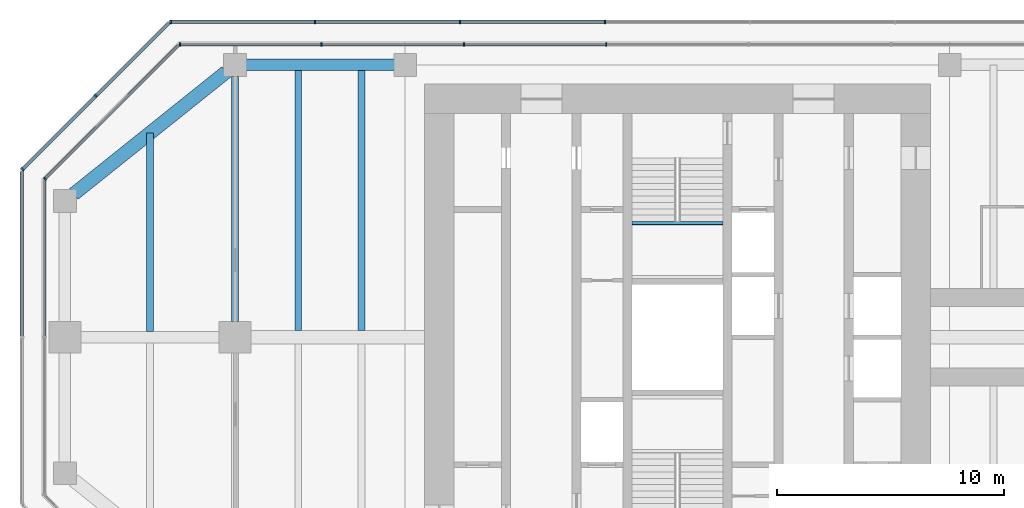
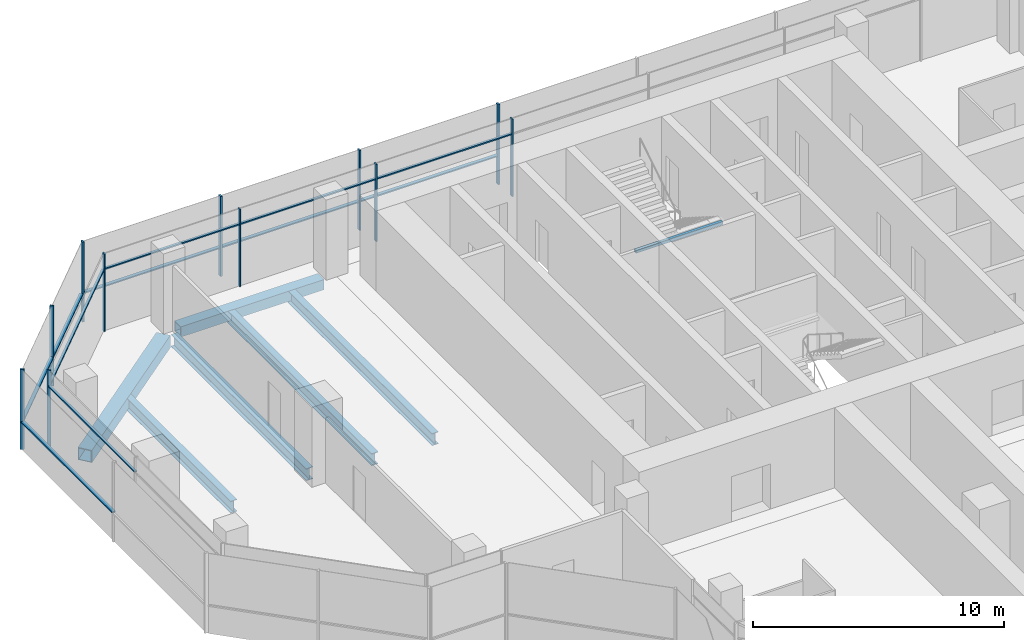
# One storey, part 6 of 15: 22 members, 7 beams, 6 elements without a shape of their own.
"""IFC4 building model written with IfcOpenShell, lengths in metres."""

from ifc_helpers import new_model, si_unit, direction, frame, origin, origin_2d, place, context, subcontext, project, spatial, rectangle, hollow_rectangle, i_section, extrude, material, material_profile, profile_set, type_object, element, aggregate, save


model = new_model("IFC4")

# Units and contexts
model_context = context("Model", 3, precision=1e-05, world=origin(), true_north=direction((0.0, 1.0)))
body_context = subcontext(model_context, "Body", "Model", "MODEL_VIEW")
ifc_project = project(units=[si_unit("LENGTHUNIT", "METRE"), si_unit("AREAUNIT", "SQUARE_METRE"), si_unit("VOLUMEUNIT", "CUBIC_METRE"), si_unit("PLANEANGLEUNIT", "RADIAN"), si_unit("MASSUNIT", "GRAM", prefix="KILO")], contexts=[model_context])

# Site, building, storey
site_placement = place(None, origin())
site = spatial("IfcSite", under=ifc_project, at=site_placement, CompositionType="ELEMENT")
building_placement = place(site_placement, origin())
building = spatial("IfcBuilding", under=site, at=building_placement, Name="Mizan Broadcast Tower", CompositionType="ELEMENT")
storey_placement = place(building_placement, frame((0.0, 0.0, 298.5)))
storey = spatial("IfcBuildingStorey", under=building, at=storey_placement, Name="L71", CompositionType="ELEMENT", Elevation=298.5)

# Beams
ifc_material_1 = material(Name="Steel S355", Category="steel")
ifc_material_profile_1 = material_profile(ifc_material_1, hollow_rectangle(XDim=0.5, YDim=0.5, WallThickness=0.030029296875, at=origin_2d()), Name="BOX 500x500x30")
ifc_profile_set_1 = profile_set([ifc_material_profile_1], Name="Steel S355")
beam_type_1 = type_object("IfcBeamType", Name="EDGE BEAM BOX 500x500x30", PredefinedType="SPANDREL", material=ifc_profile_set_1)
beam_1_placement = place(storey_placement, frame((-12.449951171875, 12.0, -0.3798828125), z_axis=(-1.0, 0.0, 0.0), x_axis=(0.0, -1.0, 0.0)))
element("IfcBeam", 1, at=beam_1_placement, inside=storey, type_object=beam_type_1, Name="Edge beam BOX 500x500x30 L71 west arm", PredefinedType="SPANDREL", context=body_context, shape_type="SweptSolid", body=[
    extrude(hollow_rectangle(XDim=0.5, YDim=0.5, WallThickness=0.030029296875, at=origin_2d()), origin(), (0.0, 0.0, 1.0), 6.60009765625),
])
ifc_material_2 = material(Name="Steel S355", Category="steel")
ifc_material_profile_2 = material_profile(ifc_material_2, hollow_rectangle(XDim=0.60009765625, YDim=0.60009765625, WallThickness=0.030029296875, at=origin_2d()), Name="BOX 600x600x30")
ifc_profile_set_2 = profile_set([ifc_material_profile_2], Name="Steel S355")
beam_type_2 = type_object("IfcBeamType", Name="EDGE BEAM BOX 600x600x30", PredefinedType="SPANDREL", material=ifc_profile_set_2)
beam_2_placement = place(storey_placement, frame((-19.890380859375, 11.687744140625, -0.429931640625), z_axis=(-0.780863273348, -0.62470196761, 0.0), x_axis=(0.62470196761, -0.780863273348, 0.0)))
element("IfcBeam", 2, at=beam_2_placement, inside=storey, type_object=beam_type_2, Name="Edge beam BOX 600x600x30 L71 west arm", PredefinedType="SPANDREL", context=body_context, shape_type="SweptSolid", body=[
    extrude(hollow_rectangle(XDim=0.60009765625, YDim=0.60009765625, WallThickness=0.030029296875, at=origin_2d()), origin(), (0.0, 0.0, 1.0), 8.60498046875),
])
ifc_material_3 = material(Name="Steel S355", Category="steel")
ifc_material_profile_3 = material_profile(ifc_material_3, i_section(OverallWidth=0.300048828125, OverallDepth=0.590087890625, WebThickness=0.012939453125, FlangeThickness=0.02490234375, FilletRadius=0.027099609375, at=origin_2d()), Name="HEA 600")
ifc_profile_set_3 = profile_set([ifc_material_profile_3], Name="Steel S355")
beam_type_3 = type_object("IfcBeamType", Name="GIRDER HEA 600", PredefinedType="BEAM", material=ifc_profile_set_3)
beam_3_placement = place(storey_placement, frame((-19.5, 11.5, -0.425048828125), z_axis=(0.0, -1.0, 0.0), x_axis=(1.0, 0.0, 0.0)))
element("IfcBeam", 3, at=beam_3_placement, inside=storey, type_object=beam_type_3, Name="Girder HEA 600 L71 west arm", PredefinedType="BEAM", context=body_context, shape_type="SweptSolid", body=[
    extrude(i_section(OverallWidth=0.300048828125, OverallDepth=0.590087890625, WebThickness=0.012939453125, FlangeThickness=0.02490234375, FilletRadius=0.027099609375, at=origin_2d()), origin(), (0.0, 0.0, 1.0), 10.800048828125),
])

# Curtain wall, members
ifc_material_4 = material(Name="Aluminium framed glazing", Category="aluminium")
curtain_wall_type_1 = type_object("IfcCurtainWallType", Name="INNER SKIN TOP ZONE", PredefinedType="USERDEFINED", material=ifc_material_4)
curtain_wall_1_placement = place(storey_placement, origin())
curtain_wall_1 = element("IfcCurtainWall", 4, at=curtain_wall_1_placement, inside=storey, type_object=curtain_wall_type_1, Name="Inner skin top zone L71 N end", ObjectType="INNER SKIN TOP ZONE", PredefinedType="USERDEFINED")
ifc_material_5 = material(Name="Aluminium, pale anodised", Category="aluminium")
ifc_material_profile_4 = material_profile(ifc_material_5, rectangle(XDim=0.159912109375, YDim=0.06005859375, at=origin_2d()), Name="MULLION 160x60")
ifc_profile_set_4 = profile_set([ifc_material_profile_4], Name="Aluminium, pale anodised")
member_type_1 = type_object("IfcMemberType", Name="INNER SKIN MULLION 60x160", PredefinedType="MULLION", material=ifc_profile_set_4)
member_1_placement = place(storey_placement, frame((-3.136962890625, 12.89990234375, 0.0), z_axis=(0.0, 0.0, 1.0), x_axis=(0.0, -1.0, 0.0)))
member_1 = element("IfcMember", 5, at=member_1_placement, type_object=member_type_1, Name="Inner skin top zone L71 N end mullion 5", PredefinedType="MULLION", context=body_context, shape_type="SweptSolid", body=[
    extrude(rectangle(XDim=0.159912109375, YDim=0.06005859375, at=origin_2d()), origin(), (0.0, 0.0, 1.0), 3.77001953125),
])
member_2_placement = place(storey_placement, frame((-9.410888671875, 12.89990234375, 0.0), z_axis=(0.0, 0.0, 1.0), x_axis=(0.0, -1.0, 0.0)))
member_2 = element("IfcMember", 6, at=member_2_placement, type_object=member_type_1, Name="Inner skin top zone L71 N end mullion 6", PredefinedType="MULLION", context=body_context, shape_type="SweptSolid", body=[
    extrude(rectangle(XDim=0.159912109375, YDim=0.06005859375, at=origin_2d()), origin(), (0.0, 0.0, 1.0), 3.77001953125),
])
member_3_placement = place(storey_placement, frame((-15.684814453125, 12.89990234375, 0.0), z_axis=(0.0, 0.0, 1.0), x_axis=(0.0, -1.0, 0.0)))
member_3 = element("IfcMember", 7, at=member_3_placement, type_object=member_type_1, Name="Inner skin top zone L71 N end mullion 7", PredefinedType="MULLION", context=body_context, shape_type="SweptSolid", body=[
    extrude(rectangle(XDim=0.159912109375, YDim=0.06005859375, at=origin_2d()), origin(), (0.0, 0.0, 1.0), 3.77001953125),
])
member_4_placement = place(storey_placement, frame((-21.928466796875, 12.89990234375, 0.0), z_axis=(0.0, 0.0, 1.0), x_axis=(0.0, -1.0, 0.0)))
member_4 = element("IfcMember", 8, at=member_4_placement, type_object=member_type_1, Name="Inner skin top zone L71 N end mullion 8", PredefinedType="MULLION", context=body_context, shape_type="SweptSolid", body=[
    extrude(rectangle(XDim=0.159912109375, YDim=0.06005859375, at=origin_2d()), origin(), (0.0, 0.0, 1.0), 3.77001953125),
])

# Curtain wall, member
curtain_wall_2_placement = place(storey_placement, origin())
curtain_wall_2 = element("IfcCurtainWall", 9, at=curtain_wall_2_placement, inside=storey, type_object=curtain_wall_type_1, Name="Inner skin top zone L71 W chamfer", ObjectType="INNER SKIN TOP ZONE", PredefinedType="USERDEFINED")
member_5_placement = place(storey_placement, frame((-27.87890625, 6.979736328125, 0.0), z_axis=(0.0, 0.0, 1.0), x_axis=(0.707106781187, -0.707106781187, 0.0)))
member_5 = element("IfcMember", 10, at=member_5_placement, type_object=member_type_1, Name="Inner skin top zone L71 W chamfer mullion 2", PredefinedType="MULLION", context=body_context, shape_type="SweptSolid", body=[
    extrude(rectangle(XDim=0.159912109375, YDim=0.06005859375, at=origin_2d()), origin(), (0.0, 0.0, 1.0), 3.77001953125),
])

# Member
ifc_material_6 = material(Name="Aluminium, pale anodised", Category="aluminium")
ifc_material_profile_5 = material_profile(ifc_material_6, rectangle(XDim=0.1201171875, YDim=0.06005859375, at=origin_2d()), Name="TRANSOM 120x60")
ifc_profile_set_5 = profile_set([ifc_material_profile_5], Name="Aluminium, pale anodised")
member_type_2 = type_object("IfcMemberType", Name="INNER SKIN TRANSOM 60x120", PredefinedType="USERDEFINED", material=ifc_profile_set_5)
member_6_placement = place(storey_placement, frame((-3.1669921875, 12.89990234375, 3.030029296875), z_axis=(-1.0, 0.0, 0.0), x_axis=(0.0, -1.0, 0.0)))
member_6 = element("IfcMember", 11, at=member_6_placement, type_object=member_type_2, Name="Inner skin top zone L71 N end transom 5.1", ObjectType="TRANSOM", PredefinedType="USERDEFINED", context=body_context, shape_type="SweptSolid", body=[
    extrude(rectangle(XDim=0.1201171875, YDim=0.06005859375, at=origin_2d()), origin(), (0.0, 0.0, 1.0), 6.2138671875),
])

member_7_placement = place(storey_placement, frame((-9.44091796875, 12.89990234375, 3.030029296875), z_axis=(-1.0, 0.0, 0.0), x_axis=(0.0, -1.0, 0.0)))
member_7 = element("IfcMember", 12, at=member_7_placement, type_object=member_type_2, Name="Inner skin top zone L71 N end transom 6.1", ObjectType="TRANSOM", PredefinedType="USERDEFINED", context=body_context, shape_type="SweptSolid", body=[
    extrude(rectangle(XDim=0.1201171875, YDim=0.06005859375, at=origin_2d()), origin(), (0.0, 0.0, 1.0), 6.2138671875),
])

member_8_placement = place(storey_placement, frame((-15.714599609375, 12.89990234375, 3.030029296875), z_axis=(-1.0, 0.0, 0.0), x_axis=(0.0, -1.0, 0.0)))
member_8 = element("IfcMember", 13, at=member_8_placement, type_object=member_type_2, Name="Inner skin top zone L71 N end transom 7.1", ObjectType="TRANSOM", PredefinedType="USERDEFINED", context=body_context, shape_type="SweptSolid", body=[
    extrude(rectangle(XDim=0.1201171875, YDim=0.06005859375, at=origin_2d()), origin(), (0.0, 0.0, 1.0), 6.18408203125),
])

aggregate(curtain_wall_1, [member_1, member_2, member_3, member_4, member_6, member_7, member_8])

member_9_placement = place(storey_placement, frame((-22.0009765625, 12.857666015625, 3.030029296875), z_axis=(-0.707106781187, -0.707106781187, 0.0), x_axis=(0.707106781187, -0.707106781187, 0.0)))
member_9 = element("IfcMember", 14, at=member_9_placement, type_object=member_type_2, Name="Inner skin top zone L71 W chamfer transom 1.1", ObjectType="TRANSOM", PredefinedType="USERDEFINED", context=body_context, shape_type="SweptSolid", body=[
    extrude(rectangle(XDim=0.1201171875, YDim=0.06005859375, at=origin_2d()), origin(), (0.0, 0.0, 1.0), 8.28271484375),
])

aggregate(curtain_wall_2, [member_5, member_9])

# Curtain wall, member
curtain_wall_3_placement = place(storey_placement, origin())
curtain_wall_3 = element("IfcCurtainWall", 15, at=curtain_wall_3_placement, inside=storey, type_object=curtain_wall_type_1, Name="Inner skin top zone L71 W end", ObjectType="INNER SKIN TOP ZONE", PredefinedType="USERDEFINED")
member_10_placement = place(storey_placement, frame((-27.89990234375, 6.898681640625, 3.030029296875), z_axis=(0.0, -1.0, 0.0), x_axis=(1.0, 0.0, 0.0)))
member_10 = element("IfcMember", 16, at=member_10_placement, type_object=member_type_2, Name="Inner skin top zone L71 W end transom 1.1", ObjectType="TRANSOM", PredefinedType="USERDEFINED", context=body_context, shape_type="SweptSolid", body=[
    extrude(rectangle(XDim=0.1201171875, YDim=0.06005859375, at=origin_2d()), origin(), (0.0, 0.0, 1.0), 6.86865234375),
])
aggregate(curtain_wall_3, [member_10])

# Beam
ifc_material_7 = material(Name="Steel S355", Category="steel")
ifc_material_profile_6 = material_profile(ifc_material_7, hollow_rectangle(XDim=0.14990234375, YDim=0.14990234375, WallThickness=0.008056640625, InnerFilletRadius=0.008056640625, OuterFilletRadius=0.011962890625, at=origin_2d()), Name="SHS 150x150x8")
ifc_profile_set_6 = profile_set([ifc_material_profile_6], Name="Steel S355")
beam_type_4 = type_object("IfcBeamType", Name="LANDING TRIMMER SHS 150x150x8", PredefinedType="BEAM", material=ifc_profile_set_6)
beam_4_placement = place(storey_placement, frame((2.0, 5.02490234375, 1.675048828125), z_axis=(-1.0, 0.0, 0.0), x_axis=(0.0, -1.0, 0.0)))
element("IfcBeam", 17, at=beam_4_placement, inside=storey, type_object=beam_type_4, Name="Stair B landing trimmer L71", PredefinedType="BEAM", context=body_context, shape_type="SweptSolid", body=[
    extrude(hollow_rectangle(XDim=0.14990234375, YDim=0.14990234375, WallThickness=0.008056640625, InnerFilletRadius=0.008056640625, OuterFilletRadius=0.011962890625, at=origin_2d()), origin(), (0.0, 0.0, 1.0), 4.0),
])

# Curtain wall, members
ifc_material_8 = material(Name="Aluminium framed glazing", Category="aluminium")
curtain_wall_type_2 = type_object("IfcCurtainWallType", Name="OUTER SKIN", PredefinedType="USERDEFINED", material=ifc_material_8)
curtain_wall_4_placement = place(storey_placement, origin())
curtain_wall_4 = element("IfcCurtainWall", 18, at=curtain_wall_4_placement, inside=storey, type_object=curtain_wall_type_2, Name="Outer skin L71 N end", ObjectType="OUTER SKIN", PredefinedType="USERDEFINED")
ifc_material_9 = material(Name="Aluminium, pale anodised", Category="aluminium")
ifc_material_profile_7 = material_profile(ifc_material_9, rectangle(XDim=0.159912109375, YDim=0.080078125, at=origin_2d()), Name="MULLION 160x80")
ifc_profile_set_7 = profile_set([ifc_material_profile_7], Name="Aluminium, pale anodised")
member_type_3 = type_object("IfcMemberType", Name="OUTER SKIN MULLION 80x160", PredefinedType="MULLION", material=ifc_profile_set_7)
member_11_placement = place(storey_placement, frame((-3.196044921875, 13.89990234375, 0.0), z_axis=(0.0, 0.0, 1.0), x_axis=(0.0, -1.0, 0.0)))
member_11 = element("IfcMember", 19, at=member_11_placement, type_object=member_type_3, Name="Outer skin L71 N end mullion 5", PredefinedType="MULLION", context=body_context, shape_type="SweptSolid", body=[
    extrude(rectangle(XDim=0.159912109375, YDim=0.080078125, at=origin_2d()), origin(), (0.0, 0.0, 1.0), 3.89990234375),
])
member_12_placement = place(storey_placement, frame((-9.58837890625, 13.89990234375, 0.0), z_axis=(0.0, 0.0, 1.0), x_axis=(0.0, -1.0, 0.0)))
member_12 = element("IfcMember", 20, at=member_12_placement, type_object=member_type_3, Name="Outer skin L71 N end mullion 6", PredefinedType="MULLION", context=body_context, shape_type="SweptSolid", body=[
    extrude(rectangle(XDim=0.159912109375, YDim=0.080078125, at=origin_2d()), origin(), (0.0, 0.0, 1.0), 3.89990234375),
])
member_13_placement = place(storey_placement, frame((-15.98046875, 13.89990234375, 0.0), z_axis=(0.0, 0.0, 1.0), x_axis=(0.0, -1.0, 0.0)))
member_13 = element("IfcMember", 21, at=member_13_placement, type_object=member_type_3, Name="Outer skin L71 N end mullion 7", PredefinedType="MULLION", context=body_context, shape_type="SweptSolid", body=[
    extrude(rectangle(XDim=0.159912109375, YDim=0.080078125, at=origin_2d()), origin(), (0.0, 0.0, 1.0), 3.89990234375),
])
member_14_placement = place(storey_placement, frame((-22.332763671875, 13.89990234375, 0.0), z_axis=(0.0, 0.0, 1.0), x_axis=(0.0, -1.0, 0.0)))
member_14 = element("IfcMember", 22, at=member_14_placement, type_object=member_type_3, Name="Outer skin L71 N end mullion 8", PredefinedType="MULLION", context=body_context, shape_type="SweptSolid", body=[
    extrude(rectangle(XDim=0.159912109375, YDim=0.080078125, at=origin_2d()), origin(), (0.0, 0.0, 1.0), 3.89990234375),
])

curtain_wall_5_placement = place(storey_placement, origin())
curtain_wall_5 = element("IfcCurtainWall", 23, at=curtain_wall_5_placement, inside=storey, type_object=curtain_wall_type_2, Name="Outer skin L71 W chamfer", ObjectType="OUTER SKIN", PredefinedType="USERDEFINED")
member_15_placement = place(storey_placement, frame((-25.636474609375, 10.636474609375, 0.0), z_axis=(0.0, 0.0, 1.0), x_axis=(0.707106781187, -0.707106781187, 0.0)))
member_15 = element("IfcMember", 24, at=member_15_placement, type_object=member_type_3, Name="Outer skin L71 W chamfer mullion 2", PredefinedType="MULLION", context=body_context, shape_type="SweptSolid", body=[
    extrude(rectangle(XDim=0.159912109375, YDim=0.080078125, at=origin_2d()), origin(), (0.0, 0.0, 1.0), 3.89990234375),
])
member_16_placement = place(storey_placement, frame((-28.871826171875, 7.401123046875, 0.0), z_axis=(0.0, 0.0, 1.0), x_axis=(0.707106781187, -0.707106781187, 0.0)))
member_16 = element("IfcMember", 25, at=member_16_placement, type_object=member_type_3, Name="Outer skin L71 W chamfer mullion 3", PredefinedType="MULLION", context=body_context, shape_type="SweptSolid", body=[
    extrude(rectangle(XDim=0.159912109375, YDim=0.080078125, at=origin_2d()), origin(), (0.0, 0.0, 1.0), 3.89990234375),
])

# Member
ifc_material_10 = material(Name="Aluminium, pale anodised", Category="aluminium")
ifc_material_profile_8 = material_profile(ifc_material_10, rectangle(XDim=0.159912109375, YDim=0.06005859375, at=origin_2d()), Name="TRANSOM 160x60")
ifc_profile_set_8 = profile_set([ifc_material_profile_8], Name="Aluminium, pale anodised")
member_type_4 = type_object("IfcMemberType", Name="OUTER SKIN TRANSOM 60x160", PredefinedType="USERDEFINED", material=ifc_profile_set_8)
member_17_placement = place(storey_placement, frame((-3.236083984375, 13.89990234375, 1.39990234375), z_axis=(-1.0, 0.0, 0.0), x_axis=(0.0, -1.0, 0.0)))
member_17 = element("IfcMember", 26, at=member_17_placement, type_object=member_type_4, Name="Outer skin L71 N end transom 5.1", ObjectType="TRANSOM", PredefinedType="USERDEFINED", context=body_context, shape_type="SweptSolid", body=[
    extrude(rectangle(XDim=0.159912109375, YDim=0.06005859375, at=origin_2d()), origin(), (0.0, 0.0, 1.0), 6.312255859375),
])

member_18_placement = place(storey_placement, frame((-9.62841796875, 13.89990234375, 1.39990234375), z_axis=(-1.0, 0.0, 0.0), x_axis=(0.0, -1.0, 0.0)))
member_18 = element("IfcMember", 27, at=member_18_placement, type_object=member_type_4, Name="Outer skin L71 N end transom 6.1", ObjectType="TRANSOM", PredefinedType="USERDEFINED", context=body_context, shape_type="SweptSolid", body=[
    extrude(rectangle(XDim=0.159912109375, YDim=0.06005859375, at=origin_2d()), origin(), (0.0, 0.0, 1.0), 6.312255859375),
])

member_19_placement = place(storey_placement, frame((-16.0205078125, 13.89990234375, 1.39990234375), z_axis=(-1.0, 0.0, 0.0), x_axis=(0.0, -1.0, 0.0)))
member_19 = element("IfcMember", 28, at=member_19_placement, type_object=member_type_4, Name="Outer skin L71 N end transom 7.1", ObjectType="TRANSOM", PredefinedType="USERDEFINED", context=body_context, shape_type="SweptSolid", body=[
    extrude(rectangle(XDim=0.159912109375, YDim=0.06005859375, at=origin_2d()), origin(), (0.0, 0.0, 1.0), 6.272216796875),
])

aggregate(curtain_wall_4, [member_11, member_12, member_13, member_14, member_17, member_18, member_19])

member_20_placement = place(storey_placement, frame((-22.429443359375, 13.843505859375, 1.39990234375), z_axis=(-0.707106781187, -0.707106781187, 0.0), x_axis=(0.707106781187, -0.707106781187, 0.0)))
member_20 = element("IfcMember", 29, at=member_20_placement, type_object=member_type_4, Name="Outer skin L71 W chamfer transom 1.1", ObjectType="TRANSOM", PredefinedType="USERDEFINED", context=body_context, shape_type="SweptSolid", body=[
    extrude(rectangle(XDim=0.159912109375, YDim=0.06005859375, at=origin_2d()), origin(), (0.0, 0.0, 1.0), 4.495361328125),
])

member_21_placement = place(storey_placement, frame((-25.664794921875, 10.608154296875, 1.39990234375), z_axis=(-0.707106781187, -0.707106781187, 0.0), x_axis=(0.707106781187, -0.707106781187, 0.0)))
member_21 = element("IfcMember", 30, at=member_21_placement, type_object=member_type_4, Name="Outer skin L71 W chamfer transom 2.1", ObjectType="TRANSOM", PredefinedType="USERDEFINED", context=body_context, shape_type="SweptSolid", body=[
    extrude(rectangle(XDim=0.159912109375, YDim=0.06005859375, at=origin_2d()), origin(), (0.0, 0.0, 1.0), 4.495361328125),
])

aggregate(curtain_wall_5, [member_15, member_16, member_20, member_21])

# Curtain wall, member
curtain_wall_6_placement = place(storey_placement, origin())
curtain_wall_6 = element("IfcCurtainWall", 31, at=curtain_wall_6_placement, inside=storey, type_object=curtain_wall_type_2, Name="Outer skin L71 W end", ObjectType="OUTER SKIN", PredefinedType="USERDEFINED")
member_22_placement = place(storey_placement, frame((-28.89990234375, 7.292724609375, 1.39990234375), z_axis=(0.0, -1.0, 0.0), x_axis=(1.0, 0.0, 0.0)))
member_22 = element("IfcMember", 32, at=member_22_placement, type_object=member_type_4, Name="Outer skin L71 W end transom 1.1", ObjectType="TRANSOM", PredefinedType="USERDEFINED", context=body_context, shape_type="SweptSolid", body=[
    extrude(rectangle(XDim=0.159912109375, YDim=0.06005859375, at=origin_2d()), origin(), (0.0, 0.0, 1.0), 7.252685546875),
])
aggregate(curtain_wall_6, [member_22])

# Beams
ifc_material_11 = material(Name="Steel S355", Category="steel")
ifc_material_profile_9 = material_profile(ifc_material_11, i_section(OverallWidth=0.300048828125, OverallDepth=0.590087890625, WebThickness=0.012939453125, FlangeThickness=0.02490234375, FilletRadius=0.027099609375, at=origin_2d()), Name="HEA 600")
ifc_profile_set_9 = profile_set([ifc_material_profile_9], Name="Steel S355")
beam_type_5 = type_object("IfcBeamType", Name="SECONDARY BEAM HEA 600", PredefinedType="JOIST", material=ifc_profile_set_9)
for number, where, z_axis, x_axis, name in (
    (33, (-13.933349609375, 12.0, -0.425048828125), (0.0, -1.0, 0.0), (1.0, 0.0, 0.0), "Secondary beam HEA 600 L71 west arm"),
    (34, (-16.716552734375, 12.0, -0.425048828125), (0.0, -1.0, 0.0), (1.0, 0.0, 0.0), "Secondary beam HEA 600 L71 west arm"),
):
    element("IfcBeam", number, at=place(storey_placement, frame(where, z_axis=z_axis, x_axis=x_axis)), inside=storey, type_object=beam_type_5, Name=name, PredefinedType="JOIST", context=body_context, shape_type="SweptSolid", body=[
        extrude(i_section(OverallWidth=0.300048828125, OverallDepth=0.590087890625, WebThickness=0.012939453125, FlangeThickness=0.02490234375, FilletRadius=0.027099609375, at=origin_2d()), origin(), (0.0, 0.0, 1.0), 11.699951171875),
    ])
beam_5_placement = place(storey_placement, frame((-23.25, 9.0, -0.425048828125), z_axis=(0.0, -1.0, 0.0), x_axis=(1.0, 0.0, 0.0)))
element("IfcBeam", 35, at=beam_5_placement, inside=storey, type_object=beam_type_5, Name="Secondary beam HEA 600 L71 west arm", PredefinedType="JOIST", context=body_context, shape_type="SweptSolid", body=[
    extrude(i_section(OverallWidth=0.300048828125, OverallDepth=0.590087890625, WebThickness=0.012939453125, FlangeThickness=0.02490234375, FilletRadius=0.027099609375, at=origin_2d()), origin(), (0.0, 0.0, 1.0), 8.75),
])

save(model, "model.ifc")
